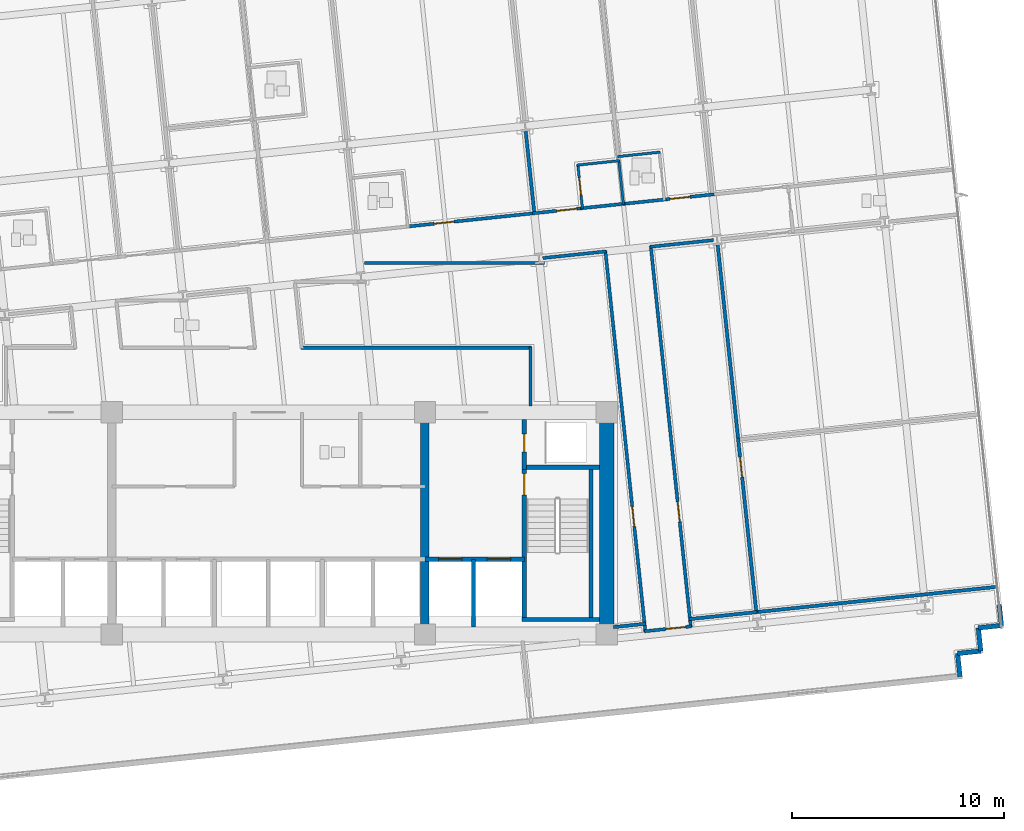
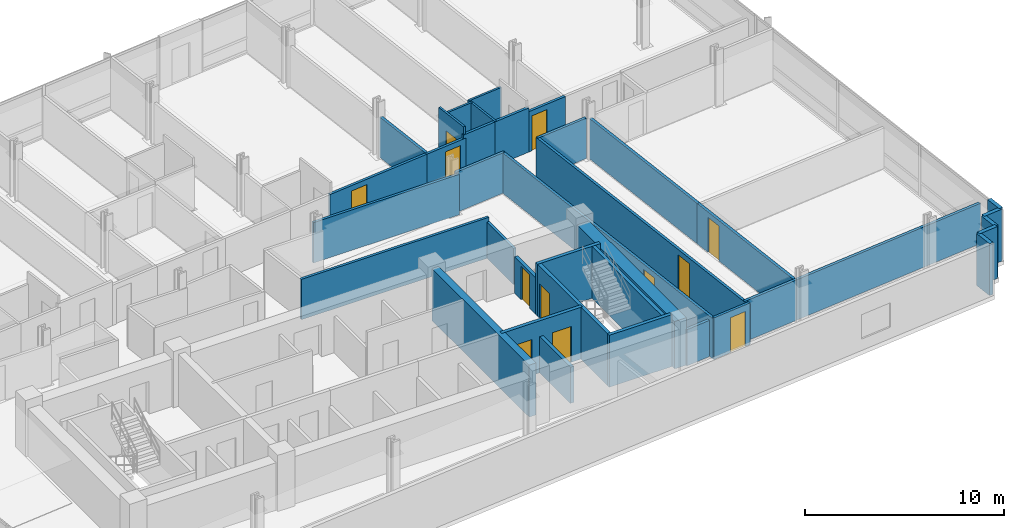
# One storey, part 12 of 20: 37 walls, 12 doors, 12 openings.
"""IFC4 building model written with IfcOpenShell, lengths in metres."""

from ifc_helpers import new_model, si_unit, direction, frame, frame_2d, origin, place, context, subcontext, project, spatial, rectangle, extrude, material, layer, layer_set, type_object, element, fill, save


model = new_model("IFC4")

# Units and contexts
model_context = context("Model", 3, precision=1e-05, world=origin(), true_north=direction((0.0, 1.0)))
body_context = subcontext(model_context, "Body", "Model", "MODEL_VIEW")
ifc_project = project(units=[si_unit("LENGTHUNIT", "METRE"), si_unit("AREAUNIT", "SQUARE_METRE"), si_unit("VOLUMEUNIT", "CUBIC_METRE"), si_unit("PLANEANGLEUNIT", "RADIAN"), si_unit("MASSUNIT", "GRAM", prefix="KILO")], contexts=[model_context])

# Site, building, storey
site_placement = place(None, origin())
site = spatial("IfcSite", under=ifc_project, at=site_placement, CompositionType="ELEMENT")
building_placement = place(site_placement, origin())
building = spatial("IfcBuilding", under=site, at=building_placement, Name="Solmavex Isthmus Hotel", CompositionType="ELEMENT")
storey_placement = place(building_placement, frame((0.0, 0.0, 87.0)))
storey = spatial("IfcBuildingStorey", under=building, at=storey_placement, Name="L23", CompositionType="ELEMENT", Elevation=87.0)

# Walls
ifc_material_1 = material(Name="Precast Concrete C40/50", Category="concrete")
ifc_layer_1 = layer(ifc_material_1, 0.25)
ifc_layer_set_1 = layer_set([ifc_layer_1], Name="Precast Concrete C40/50")
wall_type_1 = type_object("IfcWallType", Name="EW-TWR-250", PredefinedType="STANDARD", material=ifc_layer_set_1)
wall_1_placement = place(storey_placement, frame((34.553955078125, -11.59228515625, 0.0), z_axis=(0.0, 0.0, 1.0), x_axis=(0.104556418955, -0.99451895671, 0.0)))
element("IfcWall", 1, at=wall_1_placement, inside=storey, type_object=wall_type_1, Name="Serrated Corner Facade Panel L23-21", PredefinedType="STANDARD", context=body_context, shape_type="SweptSolid", body=[
    extrude(rectangle(XDim=0.989990234375, YDim=0.219970703125, at=frame_2d((0.4951171875, 0.0))), origin(), (0.0, 0.0, 1.0), 3.18994140625),
])
for number, where, z_axis, x_axis, name in (
    (2, (34.657470703125, -12.576904296875, 0.0), (0.0, 0.0, 1.0), (-0.994521251134, -0.104534592565, 0.0), "Serrated Corner Facade Panel L23-22"),
    (3, (33.5634765625, -12.69189453125, 0.0), (0.0, 0.0, 1.0), (0.104534592565, -0.994521251134, 0.0), "Serrated Corner Facade Panel L23-23"),
    (4, (33.678466796875, -13.785888671875, 0.0), (0.0, 0.0, 1.0), (-0.994521251134, -0.104534592565, 0.0), "Serrated Corner Facade Panel L23-24"),
    (5, (32.58447265625, -13.90087890625, 0.0), (0.0, 0.0, 1.0), (0.104534592565, -0.994521251134, 0.0), "Serrated Corner Facade Panel L23-25"),
):
    element("IfcWall", number, at=place(storey_placement, frame(where, z_axis=z_axis, x_axis=x_axis)), inside=storey, type_object=wall_type_1, Name=name, PredefinedType="STANDARD", context=body_context, shape_type="SweptSolid", body=[
        extrude(rectangle(XDim=1.10009765625, YDim=0.219970703125, at=frame_2d((0.550048828125, 0.0))), origin(), (0.0, 0.0, 1.0), 3.18994140625),
    ])
ifc_material_2 = material(Name="Gypsum plasterboard lining", Category="gypsum")
ifc_layer_2 = layer(ifc_material_2, 0.159912109375)
ifc_layer_set_2 = layer_set([ifc_layer_2], Name="Gypsum plasterboard lining")
wall_type_2 = type_object("IfcWallType", Name="IW-COMP-160", PredefinedType="PARTITIONING", material=ifc_layer_set_2)
wall_2_placement = place(storey_placement, frame((12.16015625, 10.86181640625, 0.0), z_axis=(0.0, 0.0, 1.0), x_axis=(0.104545405177, -0.994520114556, 0.0)))
element("IfcWall", 6, at=wall_2_placement, inside=storey, type_object=wall_type_2, Name="Interior Partition Wall W-L23-P073", PredefinedType="PARTITIONING", context=body_context, shape_type="SweptSolid", body=[
    extrude(rectangle(XDim=4.011962890625, YDim=0.159912109375, at=frame_2d((2.005859375, 0.0))), origin(), (0.0, 0.0, 1.0), 2.4794921875),
])
wall_3_placement = place(storey_placement, frame((23.109619140625, -11.9404296875, 0.0), z_axis=(0.0, 0.0, 1.0), x_axis=(-0.994523644075, -0.1045118241, 0.0)))
element("IfcWall", 7, at=wall_3_placement, inside=storey, type_object=wall_type_2, Name="Interior Partition Wall W-L23-P088", PredefinedType="PARTITIONING", context=body_context, shape_type="SweptSolid", body=[
    extrude(rectangle(XDim=3.233154296875, YDim=0.159912109375, at=frame_2d((1.61669921875, 0.0))), origin(), (0.0, 0.0, 1.0), 2.4794921875),
])

# Wall, opening, door
wall_4_placement = place(storey_placement, frame((22.2041015625, -3.7080078125, 0.0), z_axis=(0.0, 0.0, 1.0), x_axis=(0.104527489028, -0.994521997765, 0.0)))
wall_4 = element("IfcWall", 8, at=wall_4_placement, inside=storey, type_object=wall_type_2, Name="Interior Partition Wall W-L23-P089", PredefinedType="PARTITIONING", context=body_context, shape_type="SweptSolid", body=[
    extrude(rectangle(XDim=8.322021484375, YDim=0.159912109375, at=frame_2d((4.1611328125, 0.0))), origin(), (0.0, 0.0, 1.0), 2.4794921875),
])
opening_1_placement = place(wall_4_placement, frame((0.916748046875, 0.0, 0.0)))
opening_1 = element("IfcOpeningElement", 9, at=opening_1_placement, cuts=wall_4, Name="Opening ID-C095", PredefinedType="OPENING", context=body_context, shape_type="SweptSolid", body=[
    extrude(rectangle(XDim=0.949951171875, YDim=2.14990234375, at=frame_2d((0.47509765625, 1.074951171875))), frame((0.0, 0.08984375, 0.0), z_axis=(0.0, -1.0, 0.0), x_axis=(1.0, 0.0, 0.0)), (0.0, 0.0, 1.0), 0.179931640625),
])
ifc_material_3 = material(Name="Hardwood timber", Category="wood")
door_type_1 = type_object("IfcDoorType", Name="IDR-FD60-0950", OperationType="NOTDEFINED", PredefinedType="DOOR", material=ifc_material_3)
door_1_placement = place(opening_1_placement, origin())
door_1 = element("IfcDoor", 10, at=door_1_placement, inside=storey, type_object=door_type_1, Name="Corporate Briefing Office Door L23-26", OperationType="SINGLE_SWING_RIGHT", OverallHeight=2.14990234375, OverallWidth=0.949951171875, PredefinedType="DOOR", context=body_context, shape_type="SweptSolid", body=[
    extrude(rectangle(XDim=0.949951171875, YDim=2.14990234375, at=frame_2d((0.47509765625, 1.074951171875))), frame((0.0, 0.02490234375, 0.0), z_axis=(0.0, -1.0, 0.0), x_axis=(1.0, 0.0, 0.0)), (0.0, 0.0, 1.0), 0.050048828125),
])
fill(opening_1, door_1)

# Walls
wall_5_placement = place(storey_placement, frame((21.238037109375, 5.483154296875, 0.0), z_axis=(0.0, 0.0, 1.0), x_axis=(0.104552370405, -0.994519382336, 0.0)))
element("IfcWall", 11, at=wall_5_placement, inside=storey, type_object=wall_type_2, Name="Interior Partition Wall W-L23-P090", PredefinedType="PARTITIONING", context=body_context, shape_type="SweptSolid", body=[
    extrude(rectangle(XDim=9.40576171875, YDim=0.159912109375, at=frame_2d((4.702880859375, 0.0))), origin(), (0.0, 0.0, 1.0), 2.4794921875),
])
wall_6_placement = place(storey_placement, frame((17.82568359375, -12.495849609375, 0.0), z_axis=(0.0, 0.0, 1.0), x_axis=(-0.994528256122, -0.104467927017, 0.0)))
element("IfcWall", 12, at=wall_6_placement, inside=storey, type_object=wall_type_2, Name="Interior Partition Wall W-L23-P091", PredefinedType="PARTITIONING", context=body_context, shape_type="SweptSolid", body=[
    extrude(rectangle(XDim=1.523681640625, YDim=0.159912109375, at=frame_2d((0.76171875, 0.0))), origin(), (0.0, 0.0, 1.0), 2.22509765625),
])
wall_7_placement = place(storey_placement, frame((22.98828125, -11.953125, 0.0), z_axis=(0.0, 0.0, 1.0), x_axis=(0.994523359964, 0.104514527634, 0.0)))
element("IfcWall", 13, at=wall_7_placement, inside=storey, type_object=wall_type_2, Name="Interior Partition Wall W-L23-P092", PredefinedType="PARTITIONING", context=body_context, shape_type="SweptSolid", body=[
    extrude(rectangle(XDim=11.570068359375, YDim=0.159912109375, at=frame_2d((5.78515625, 0.0))), origin(), (0.0, 0.0, 1.0), 2.4794921875),
])

# Wall, opening, door
ifc_layer_3 = layer(ifc_material_2, 0.14990234375)
ifc_layer_set_3 = layer_set([ifc_layer_3], Name="Gypsum plasterboard lining")
wall_type_3 = type_object("IfcWallType", Name="IW-CORR-150", PredefinedType="PARTITIONING", material=ifc_layer_set_3)
wall_8_placement = place(storey_placement, frame((6.5107421875, 6.274169921875, 0.0), z_axis=(0.0, 0.0, 1.0), x_axis=(0.994521891766, 0.104528497542, 0.0)))
wall_8 = element("IfcWall", 14, at=wall_8_placement, inside=storey, type_object=wall_type_3, Name="Interior Partition Wall W-L23-P007", PredefinedType="PARTITIONING", context=body_context, shape_type="SweptSolid", body=[
    extrude(rectangle(XDim=6.18017578125, YDim=0.14990234375, at=frame_2d((3.090087890625, 0.0))), origin(), (0.0, 0.0, 1.0), 2.4794921875),
])
opening_2_placement = place(wall_8_placement, frame((1.333984375, 0.0, 0.0)))
opening_2 = element("IfcOpeningElement", 15, at=opening_2_placement, cuts=wall_8, Name="Opening ID-C095", PredefinedType="OPENING", context=body_context, shape_type="SweptSolid", body=[
    extrude(rectangle(XDim=0.949951171875, YDim=2.14990234375, at=frame_2d((0.47509765625, 1.074951171875))), frame((0.0, 0.0849609375, 0.0), z_axis=(0.0, -1.0, 0.0), x_axis=(1.0, 0.0, 0.0)), (0.0, 0.0, 1.0), 0.169921875),
])
door_2_placement = place(opening_2_placement, origin())
door_2 = element("IfcDoor", 16, at=door_2_placement, inside=storey, type_object=door_type_1, Name="Premier Suite Door L23-12", OperationType="SINGLE_SWING_RIGHT", OverallHeight=2.14990234375, OverallWidth=0.949951171875, PredefinedType="DOOR", context=body_context, shape_type="SweptSolid", body=[
    extrude(rectangle(XDim=0.949951171875, YDim=2.14990234375, at=frame_2d((0.47509765625, 1.074951171875))), frame((0.0, 0.02490234375, 0.0), z_axis=(0.0, -1.0, 0.0), x_axis=(1.0, 0.0, 0.0)), (0.0, 0.0, 1.0), 0.050048828125),
])
fill(opening_2, door_2)

wall_9_placement = place(storey_placement, frame((12.493896484375, 6.903076171875, 0.0), z_axis=(0.0, 0.0, 1.0), x_axis=(0.99452018747, 0.10454471156, 0.0)))
wall_9 = element("IfcWall", 17, at=wall_9_placement, inside=storey, type_object=wall_type_3, Name="Interior Partition Wall W-L23-P009", PredefinedType="PARTITIONING", context=body_context, shape_type="SweptSolid", body=[
    extrude(rectangle(XDim=2.44970703125, YDim=0.14990234375, at=frame_2d((1.224853515625, 0.0))), origin(), (0.0, 0.0, 1.0), 2.4794921875),
])
opening_3_placement = place(wall_9_placement, frame((1.14794921875, 0.0, 0.0)))
opening_3 = element("IfcOpeningElement", 18, at=opening_3_placement, cuts=wall_9, Name="Opening ID-C095", PredefinedType="OPENING", context=body_context, shape_type="SweptSolid", body=[
    extrude(rectangle(XDim=0.949951171875, YDim=2.14990234375, at=frame_2d((0.47509765625, 1.074951171875))), frame((0.0, 0.0849609375, 0.0), z_axis=(0.0, -1.0, 0.0), x_axis=(1.0, 0.0, 0.0)), (0.0, 0.0, 1.0), 0.169921875),
])
door_3_placement = place(opening_3_placement, origin())
door_3 = element("IfcDoor", 19, at=door_3_placement, inside=storey, type_object=door_type_1, Name="Club Guest Room Door L23-14", OperationType="SINGLE_SWING_RIGHT", OverallHeight=2.14990234375, OverallWidth=0.949951171875, PredefinedType="DOOR", context=body_context, shape_type="SweptSolid", body=[
    extrude(rectangle(XDim=0.949951171875, YDim=2.14990234375, at=frame_2d((0.47509765625, 1.074951171875))), frame((0.0, 0.02490234375, 0.0), z_axis=(0.0, -1.0, 0.0), x_axis=(1.0, 0.0, 0.0)), (0.0, 0.0, 1.0), 0.050048828125),
])
fill(opening_3, door_3)

# Wall
wall_10_placement = place(storey_placement, frame((14.76708984375, 7.14208984375, 0.0), z_axis=(0.0, 0.0, 1.0), x_axis=(0.994520650134, 0.1045403102, 0.0)))
element("IfcWall", 20, at=wall_10_placement, inside=storey, type_object=wall_type_3, Name="Interior Partition Wall W-L23-P010", PredefinedType="PARTITIONING", context=body_context, shape_type="SweptSolid", body=[
    extrude(rectangle(XDim=2.111083984375, YDim=0.14990234375, at=frame_2d((1.0556640625, 0.0))), origin(), (0.0, 0.0, 1.0), 2.718017578125),
])

# Wall, opening, door
wall_11_placement = place(storey_placement, frame((18.64013671875, 7.549072265625, 0.0), z_axis=(0.0, 0.0, 1.0), x_axis=(0.994521276566, 0.104534350613, 0.0)))
wall_11 = element("IfcWall", 21, at=wall_11_placement, inside=storey, type_object=wall_type_3, Name="Interior Partition Wall W-L23-P011", PredefinedType="PARTITIONING", context=body_context, shape_type="SweptSolid", body=[
    extrude(rectangle(XDim=2.449951171875, YDim=0.14990234375, at=frame_2d((1.22509765625, 0.0))), origin(), (0.0, 0.0, 1.0), 2.4794921875),
])
opening_4_placement = place(wall_11_placement, frame((0.351806640625, 0.0, 0.0)))
opening_4 = element("IfcOpeningElement", 22, at=opening_4_placement, cuts=wall_11, Name="Opening ID-C095", PredefinedType="OPENING", context=body_context, shape_type="SweptSolid", body=[
    extrude(rectangle(XDim=0.949951171875, YDim=2.14990234375, at=frame_2d((0.47509765625, 1.074951171875))), frame((0.0, 0.0849609375, 0.0), z_axis=(0.0, -1.0, 0.0), x_axis=(1.0, 0.0, 0.0)), (0.0, 0.0, 1.0), 0.169921875),
])
door_4_placement = place(opening_4_placement, origin())
door_4 = element("IfcDoor", 23, at=door_4_placement, inside=storey, type_object=door_type_1, Name="Superior King Room Door L23-16", OperationType="SINGLE_SWING_RIGHT", OverallHeight=2.14990234375, OverallWidth=0.949951171875, PredefinedType="DOOR", context=body_context, shape_type="SweptSolid", body=[
    extrude(rectangle(XDim=0.949951171875, YDim=2.14990234375, at=frame_2d((0.47509765625, 1.074951171875))), frame((0.0, 0.02490234375, 0.0), z_axis=(0.0, -1.0, 0.0), x_axis=(1.0, 0.0, 0.0)), (0.0, 0.0, 1.0), 0.050048828125),
])
fill(opening_4, door_4)

# Walls
wall_12_placement = place(storey_placement, frame((16.70361328125, 7.345458984375, 0.0), z_axis=(0.0, 0.0, 1.0), x_axis=(0.994520650134, 0.1045403102, 0.0)))
element("IfcWall", 24, at=wall_12_placement, inside=storey, type_object=wall_type_3, Name="Interior Partition Wall W-L23-P012", PredefinedType="PARTITIONING", context=body_context, shape_type="SweptSolid", body=[
    extrude(rectangle(XDim=2.111083984375, YDim=0.14990234375, at=frame_2d((1.0556640625, 0.0))), origin(), (0.0, 0.0, 1.0), 2.718017578125),
])
wall_13_placement = place(storey_placement, frame((21.04443359375, 5.639892578125, 0.0), z_axis=(0.0, 0.0, 1.0), x_axis=(-0.994527160177, -0.104478359817, 0.0)))
element("IfcWall", 25, at=wall_13_placement, inside=storey, type_object=wall_type_3, Name="Interior Partition Wall W-L23-P021", PredefinedType="PARTITIONING", context=body_context, shape_type="SweptSolid", body=[
    extrude(rectangle(XDim=3.016845703125, YDim=0.14990234375, at=frame_2d((1.50830078125, 0.0))), origin(), (0.0, 0.0, 1.0), 2.4794921875),
])

# Wall, opening, door
wall_14_placement = place(storey_placement, frame((18.079833984375, 5.36865234375, 0.0), z_axis=(0.0, 0.0, 1.0), x_axis=(0.104523559353, -0.994522410778, 0.0)))
wall_14 = element("IfcWall", 26, at=wall_14_placement, inside=storey, type_object=wall_type_3, Name="Interior Partition Wall W-L23-P022", PredefinedType="PARTITIONING", context=body_context, shape_type="SweptSolid", body=[
    extrude(rectangle(XDim=18.130126953125, YDim=0.14990234375, at=frame_2d((9.06494140625, 0.0))), origin(), (0.0, 0.0, 1.0), 2.4794921875),
])
opening_5_placement = place(wall_14_placement, frame((12.161865234375, 0.0, 0.0)))
opening_5 = element("IfcOpeningElement", 27, at=opening_5_placement, cuts=wall_14, Name="Opening ID-C095", PredefinedType="OPENING", context=body_context, shape_type="SweptSolid", body=[
    extrude(rectangle(XDim=0.949951171875, YDim=2.14990234375, at=frame_2d((0.47509765625, 1.074951171875))), frame((0.0, 0.0849609375, 0.0), z_axis=(0.0, -1.0, 0.0), x_axis=(1.0, 0.0, 0.0)), (0.0, 0.0, 1.0), 0.169921875),
])
door_5_placement = place(opening_5_placement, origin())
door_5 = element("IfcDoor", 28, at=door_5_placement, inside=storey, type_object=door_type_1, Name="Reading Library Door L23-22", OperationType="SINGLE_SWING_RIGHT", OverallHeight=2.14990234375, OverallWidth=0.949951171875, PredefinedType="DOOR", context=body_context, shape_type="SweptSolid", body=[
    extrude(rectangle(XDim=0.949951171875, YDim=2.14990234375, at=frame_2d((0.47509765625, 1.074951171875))), frame((0.0, 0.02490234375, 0.0), z_axis=(0.0, -1.0, 0.0), x_axis=(1.0, 0.0, 0.0)), (0.0, 0.0, 1.0), 0.050048828125),
])
fill(opening_5, door_5)

wall_15_placement = place(storey_placement, frame((17.82666015625, -12.887939453125, 0.0), z_axis=(0.0, 0.0, 1.0), x_axis=(-0.104523559353, 0.994522410778, 0.0)))
wall_15 = element("IfcWall", 29, at=wall_15_placement, inside=storey, type_object=wall_type_3, Name="Interior Partition Wall W-L23-P023", PredefinedType="PARTITIONING", context=body_context, shape_type="SweptSolid", body=[
    extrude(rectangle(XDim=18.130126953125, YDim=0.14990234375, at=frame_2d((9.06494140625, 0.0))), origin(), (0.0, 0.0, 1.0), 2.4794921875),
])
opening_6_placement = place(wall_15_placement, frame((5.018310546875, 0.0, 0.0)))
opening_6 = element("IfcOpeningElement", 30, at=opening_6_placement, cuts=wall_15, Name="Opening ID-C095", PredefinedType="OPENING", context=body_context, shape_type="SweptSolid", body=[
    extrude(rectangle(XDim=0.949951171875, YDim=2.14990234375, at=frame_2d((0.47509765625, 1.074951171875))), frame((0.0, 0.0849609375, 0.0), z_axis=(0.0, -1.0, 0.0), x_axis=(1.0, 0.0, 0.0)), (0.0, 0.0, 1.0), 0.169921875),
])
door_6_placement = place(opening_6_placement, frame((0.949951171875, 0.0, 0.0), z_axis=(0.0, 0.0, 1.0), x_axis=(-1.0, 0.0, 0.0)))
door_6 = element("IfcDoor", 31, at=door_6_placement, inside=storey, type_object=door_type_1, Name="Wellness Treatment Room Door L23-23", OperationType="SINGLE_SWING_LEFT", OverallHeight=2.14990234375, OverallWidth=0.949951171875, PredefinedType="DOOR", context=body_context, shape_type="SweptSolid", body=[
    extrude(rectangle(XDim=0.949951171875, YDim=2.14990234375, at=frame_2d((0.47509765625, 1.074951171875))), frame((0.0, 0.02490234375, 0.0), z_axis=(0.0, -1.0, 0.0), x_axis=(1.0, 0.0, 0.0)), (0.0, 0.0, 1.0), 0.050048828125),
])
fill(opening_6, door_6)

# Walls
wall_16_placement = place(storey_placement, frame((15.9755859375, 5.107177734375, 0.0), z_axis=(0.0, 0.0, 1.0), x_axis=(-0.994518748051, -0.104558403652, 0.0)))
element("IfcWall", 32, at=wall_16_placement, inside=storey, type_object=wall_type_3, Name="Interior Partition Wall W-L23-P024", PredefinedType="PARTITIONING", context=body_context, shape_type="SweptSolid", body=[
    extrude(rectangle(XDim=3.016845703125, YDim=0.14990234375, at=frame_2d((1.50830078125, 0.0))), origin(), (0.0, 0.0, 1.0), 2.4794921875),
])
wall_17_placement = place(storey_placement, frame((13.05517578125, 4.558349609375, 0.0), z_axis=(0.0, 0.0, 1.0), x_axis=(-1.0, 0.0, 0.0)))
element("IfcWall", 33, at=wall_17_placement, inside=storey, type_object=wall_type_3, Name="Interior Partition Wall W-L23-P025", PredefinedType="PARTITIONING", context=body_context, shape_type="SweptSolid", body=[
    extrude(rectangle(XDim=8.49951171875, YDim=0.14990234375, at=frame_2d((4.249755859375, 0.0))), origin(), (0.0, 0.0, 1.0), 2.4794921875),
])
wall_18_placement = place(storey_placement, frame((1.541015625, 0.550048828125, 0.0), z_axis=(0.0, 0.0, 1.0), x_axis=(1.0, 0.0, 0.0)))
element("IfcWall", 34, at=wall_18_placement, inside=storey, type_object=wall_type_3, Name="Interior Partition Wall W-L23-P028", PredefinedType="PARTITIONING", context=body_context, shape_type="SweptSolid", body=[
    extrude(rectangle(XDim=10.89892578125, YDim=0.14990234375, at=frame_2d((5.449462890625, 0.0))), origin(), (0.0, 0.0, 1.0), 2.4794921875),
])
wall_19_placement = place(storey_placement, frame((12.39990234375, 0.590087890625, 0.0), z_axis=(0.0, 0.0, 1.0), x_axis=(0.0, -1.0, 0.0)))
element("IfcWall", 35, at=wall_19_placement, inside=storey, type_object=wall_type_3, Name="Interior Partition Wall W-L23-P029", PredefinedType="PARTITIONING", context=body_context, shape_type="SweptSolid", body=[
    extrude(rectangle(XDim=2.780029296875, YDim=0.14990234375, at=frame_2d((1.39013671875, 0.0))), origin(), (0.0, 0.0, 1.0), 2.22509765625),
])

# Wall, opening, door
wall_20_placement = place(storey_placement, frame((20.010498046875, -12.6181640625, 0.0), z_axis=(0.0, 0.0, 1.0), x_axis=(-0.994522758079, -0.104520254794, 0.0)))
wall_20 = element("IfcWall", 36, at=wall_20_placement, inside=storey, type_object=wall_type_3, Name="Interior Partition Wall W-L23-P030", PredefinedType="PARTITIONING", context=body_context, shape_type="SweptSolid", body=[
    extrude(rectangle(XDim=2.239990234375, YDim=0.14990234375, at=frame_2d((1.1201171875, 0.0))), origin(), (0.0, 0.0, 1.0), 2.55322265625),
])
opening_7_placement = place(wall_20_placement, frame((0.281982421875, 0.0, 0.0)))
opening_7 = element("IfcOpeningElement", 37, at=opening_7_placement, cuts=wall_20, Name="Opening ID-C095", PredefinedType="OPENING", context=body_context, shape_type="SweptSolid", body=[
    extrude(rectangle(XDim=0.949951171875, YDim=2.14990234375, at=frame_2d((0.47509765625, 1.074951171875))), frame((0.0, 0.0849609375, 0.0), z_axis=(0.0, -1.0, 0.0), x_axis=(1.0, 0.0, 0.0)), (0.0, 0.0, 1.0), 0.169921875),
])
door_7_placement = place(opening_7_placement, origin())
door_7 = element("IfcDoor", 38, at=door_7_placement, inside=storey, type_object=door_type_1, Name="Executive Hospitality Lounge Door L23-24", OperationType="SINGLE_SWING_RIGHT", OverallHeight=2.14990234375, OverallWidth=0.949951171875, PredefinedType="DOOR", context=body_context, shape_type="SweptSolid", body=[
    extrude(rectangle(XDim=0.949951171875, YDim=2.14990234375, at=frame_2d((0.47509765625, 1.074951171875))), frame((0.0, 0.02490234375, 0.0), z_axis=(0.0, -1.0, 0.0), x_axis=(1.0, 0.0, 0.0)), (0.0, 0.0, 1.0), 0.050048828125),
])
fill(opening_7, door_7)

# Wall
ifc_layer_4 = layer(ifc_material_2, 0.1201171875)
ifc_layer_set_4 = layer_set([ifc_layer_4], Name="Gypsum plasterboard lining")
wall_type_4 = type_object("IfcWallType", Name="IW-PART-120", PredefinedType="PARTITIONING", material=ifc_layer_set_4)
wall_21_placement = place(storey_placement, frame((16.610595703125, 9.39697265625, 0.0), z_axis=(0.0, 0.0, 1.0), x_axis=(-0.994519962835, -0.104546848461, 0.0)))
element("IfcWall", 39, at=wall_21_placement, inside=storey, type_object=wall_type_4, Name="Interior Partition Wall W-L23-P074", PredefinedType="PARTITIONING", context=body_context, shape_type="SweptSolid", body=[
    extrude(rectangle(XDim=2.02685546875, YDim=0.1201171875, at=frame_2d((1.013427734375, 0.0))), origin(), (0.0, 0.0, 1.0), 2.718017578125),
])

# Wall, opening, door
wall_22_placement = place(storey_placement, frame((14.630126953125, 9.229248046875, 0.0), z_axis=(0.0, 0.0, 1.0), x_axis=(0.104529659321, -0.994521769657, 0.0)))
wall_22 = element("IfcWall", 40, at=wall_22_placement, inside=storey, type_object=wall_type_4, Name="Interior Partition Wall W-L23-P075", PredefinedType="PARTITIONING", context=body_context, shape_type="SweptSolid", body=[
    extrude(rectangle(XDim=2.130126953125, YDim=0.1201171875, at=frame_2d((1.06494140625, 0.0))), origin(), (0.0, 0.0, 1.0), 3.18994140625),
])
opening_8_placement = place(wall_22_placement, frame((0.639892578125, 0.0, 0.0)))
opening_8 = element("IfcOpeningElement", 41, at=opening_8_placement, cuts=wall_22, Name="Opening ID-U085", PredefinedType="OPENING", context=body_context, shape_type="SweptSolid", body=[
    extrude(rectangle(XDim=0.85009765625, YDim=2.10009765625, at=frame_2d((0.425048828125, 1.050048828125))), frame((0.0, 0.070068359375, 0.0), z_axis=(0.0, -1.0, 0.0), x_axis=(1.0, 0.0, 0.0)), (0.0, 0.0, 1.0), 0.14013671875),
])
door_type_2 = type_object("IfcDoorType", Name="IDR-UNR-0850", OperationType="NOTDEFINED", PredefinedType="DOOR", material=ifc_material_3)
door_8_placement = place(opening_8_placement, origin())
door_8 = element("IfcDoor", 42, at=door_8_placement, inside=storey, type_object=door_type_2, Name="En-suite Bathroom Door L23-15", OperationType="SINGLE_SWING_LEFT", OverallHeight=2.10009765625, OverallWidth=0.85009765625, PredefinedType="DOOR", context=body_context, shape_type="SweptSolid", body=[
    extrude(rectangle(XDim=0.85009765625, YDim=2.10009765625, at=frame_2d((0.425048828125, 1.050048828125))), frame((0.0, 0.02490234375, 0.0), z_axis=(0.0, -1.0, 0.0), x_axis=(1.0, 0.0, 0.0)), (0.0, 0.0, 1.0), 0.050048828125),
])
fill(opening_8, door_8)

# Walls
wall_23_placement = place(storey_placement, frame((16.566650390625, 9.4326171875, 0.0), z_axis=(0.0, 0.0, 1.0), x_axis=(0.104541575795, -0.994520517099, 0.0)))
element("IfcWall", 43, at=wall_23_placement, inside=storey, type_object=wall_type_4, Name="Interior Partition Wall W-L23-P077", PredefinedType="PARTITIONING", context=body_context, shape_type="SweptSolid", body=[
    extrude(rectangle(XDim=2.1298828125, YDim=0.1201171875, at=frame_2d((1.06494140625, 0.0))), origin(), (0.0, 0.0, 1.0), 2.718017578125),
])
wall_24_placement = place(storey_placement, frame((18.5263671875, 9.799560546875, 0.0), z_axis=(0.0, 0.0, 1.0), x_axis=(-0.994521279075, -0.104534326742, 0.0)))
element("IfcWall", 44, at=wall_24_placement, inside=storey, type_object=wall_type_4, Name="Interior Partition Wall W-L23-P079", PredefinedType="PARTITIONING", context=body_context, shape_type="SweptSolid", body=[
    extrude(rectangle(XDim=2.027099609375, YDim=0.1201171875, at=frame_2d((1.013671875, 0.0))), origin(), (0.0, 0.0, 1.0), 2.718017578125),
])

# Wall, opening, door
ifc_material_4 = material(Name="Concrete C40/50", Category="concrete")
ifc_layer_5 = layer(ifc_material_4, 0.199951171875)
ifc_layer_set_5 = layer_set([ifc_layer_5], Name="Concrete C40/50")
wall_type_5 = type_object("IfcWallType", Name="IW-SHAFT-200", PredefinedType="PARTITIONING", material=ifc_layer_set_5)
wall_25_placement = place(storey_placement, frame((12.10009765625, -5.199951171875, 0.0), z_axis=(0.0, 0.0, 1.0), x_axis=(0.0, 1.0, 0.0)))
wall_25 = element("IfcWall", 45, at=wall_25_placement, inside=storey, type_object=wall_type_5, Name="Interior Partition Wall W-L23-RSE-W", PredefinedType="PARTITIONING", context=body_context, shape_type="SweptSolid", body=[
    extrude(rectangle(XDim=2.349853515625, YDim=0.199951171875, at=frame_2d((1.1748046875, 0.0))), origin(), (0.0, 0.0, 1.0), 2.22509765625),
])
opening_9_placement = place(wall_25_placement, frame((0.824951171875, 0.0, 0.0)))
opening_9 = element("IfcOpeningElement", 46, at=opening_9_placement, cuts=wall_25, Name="Opening ID-R085", PredefinedType="OPENING", context=body_context, shape_type="SweptSolid", body=[
    extrude(rectangle(XDim=0.85009765625, YDim=2.050048828125, at=frame_2d((0.425048828125, 1.02490234375))), frame((0.0, 0.10986328125, 0.0), z_axis=(0.0, -1.0, 0.0), x_axis=(1.0, 0.0, 0.0)), (0.0, 0.0, 1.0), 0.219970703125),
])
ifc_material_5 = material(Name="Steel ASTM A500 Grade C", Category="steel")
door_type_3 = type_object("IfcDoorType", Name="IDR-FD60-0850", OperationType="NOTDEFINED", PredefinedType="DOOR", material=ifc_material_5)
door_9_placement = place(opening_9_placement, frame((0.85009765625, 0.0, 0.0), z_axis=(0.0, 0.0, 1.0), x_axis=(-1.0, 0.0, 0.0)))
door_9 = element("IfcDoor", 47, at=door_9_placement, inside=storey, type_object=door_type_3, Name="Mechanical Riser Door L23", OperationType="SINGLE_SWING_LEFT", OverallHeight=2.050048828125, OverallWidth=0.85009765625, PredefinedType="DOOR", context=body_context, shape_type="SweptSolid", body=[
    extrude(rectangle(XDim=0.85009765625, YDim=2.050048828125, at=frame_2d((0.425048828125, 1.02490234375))), frame((0.0, 0.02490234375, 0.0), z_axis=(0.0, -1.0, 0.0), x_axis=(1.0, 0.0, 0.0)), (0.0, 0.0, 1.0), 0.050048828125),
])
fill(opening_9, door_9)

# Wall, openings, doors
wall_26_placement = place(storey_placement, frame((7.39990234375, -9.449951171875, 0.0), z_axis=(0.0, 0.0, 1.0), x_axis=(1.0, 0.0, 0.0)))
wall_26 = element("IfcWall", 48, at=wall_26_placement, inside=storey, type_object=wall_type_5, Name="Interior Partition Wall W-L23-FFLE-S", PredefinedType="PARTITIONING", context=body_context, shape_type="SweptSolid", body=[
    extrude(rectangle(XDim=4.7001953125, YDim=0.199951171875, at=frame_2d((2.35009765625, 0.0))), origin(), (0.0, 0.0, 1.0), 3.18994140625),
])
opening_10_placement = place(wall_26_placement, frame((2.949951171875, 0.0, 0.0)))
opening_10 = element("IfcOpeningElement", 49, at=opening_10_placement, cuts=wall_26, Name="Opening LD-FF", PredefinedType="OPENING", context=body_context, shape_type="SweptSolid", body=[
    extrude(rectangle(XDim=1.10009765625, YDim=2.199951171875, at=frame_2d((0.550048828125, 1.10009765625))), frame((0.0, 0.10986328125, 0.0), z_axis=(0.0, -1.0, 0.0), x_axis=(1.0, 0.0, 0.0)), (0.0, 0.0, 1.0), 0.219970703125),
])
opening_11_placement = place(wall_26_placement, frame((0.64990234375, 0.0, 0.0)))
opening_11 = element("IfcOpeningElement", 50, at=opening_11_placement, cuts=wall_26, Name="Opening LD-SV", PredefinedType="OPENING", context=body_context, shape_type="SweptSolid", body=[
    extrude(rectangle(XDim=1.10009765625, YDim=2.199951171875, at=frame_2d((0.550048828125, 1.10009765625))), frame((0.0, 0.10986328125, 0.0), z_axis=(0.0, -1.0, 0.0), x_axis=(1.0, 0.0, 0.0)), (0.0, 0.0, 1.0), 0.219970703125),
])
ifc_material_6 = material(Name="Stainless steel 316", Category="steel")
door_type_4 = type_object("IfcDoorType", Name="LDR-FF-1100", OperationType="NOTDEFINED", PredefinedType="DOOR", material=ifc_material_6)
door_10_placement = place(opening_10_placement, origin())
door_10 = element("IfcDoor", 51, at=door_10_placement, inside=storey, type_object=door_type_4, Name="Lift Landing Door FFL-2 L23", OperationType="SLIDING_TO_LEFT", OverallHeight=2.199951171875, OverallWidth=1.10009765625, PredefinedType="DOOR", context=body_context, shape_type="SweptSolid", body=[
    extrude(rectangle(XDim=1.10009765625, YDim=2.199951171875, at=frame_2d((0.550048828125, 1.10009765625))), frame((0.0, 0.02490234375, 0.0), z_axis=(0.0, -1.0, 0.0), x_axis=(1.0, 0.0, 0.0)), (0.0, 0.0, 1.0), 0.050048828125),
])
fill(opening_10, door_10)
door_type_5 = type_object("IfcDoorType", Name="LDR-SV-1100", OperationType="NOTDEFINED", PredefinedType="DOOR", material=ifc_material_6)
door_11_placement = place(opening_11_placement, origin())
door_11 = element("IfcDoor", 52, at=door_11_placement, inside=storey, type_object=door_type_5, Name="Lift Landing Door SVL-2 L23", OperationType="SLIDING_TO_RIGHT", OverallHeight=2.199951171875, OverallWidth=1.10009765625, PredefinedType="DOOR", context=body_context, shape_type="SweptSolid", body=[
    extrude(rectangle(XDim=1.10009765625, YDim=2.199951171875, at=frame_2d((0.550048828125, 1.10009765625))), frame((0.0, 0.02490234375, 0.0), z_axis=(0.0, -1.0, 0.0), x_axis=(1.0, 0.0, 0.0)), (0.0, 0.0, 1.0), 0.050048828125),
])
fill(opening_11, door_11)

# Walls
wall_27_placement = place(storey_placement, frame((9.699951171875, -12.64990234375, 0.0), z_axis=(0.0, 0.0, 1.0), x_axis=(0.0, 1.0, 0.0)))
element("IfcWall", 53, at=wall_27_placement, inside=storey, type_object=wall_type_5, Name="Interior Partition Wall W-L23-FFLE-M", PredefinedType="PARTITIONING", context=body_context, shape_type="SweptSolid", body=[
    extrude(rectangle(XDim=3.199951171875, YDim=0.199951171875, at=frame_2d((1.60009765625, 0.0))), origin(), (0.0, 0.0, 1.0), 2.22509765625),
])
ifc_material_7 = material(Name="Concrete C60/75", Category="concrete")
ifc_layer_6 = layer(ifc_material_7, 0.39990234375)
ifc_layer_set_6 = layer_set([ifc_layer_6], Name="Concrete C60/75")
wall_type_6 = type_object("IfcWallType", Name="WALL-CW-400M", PredefinedType="SHEAR", material=ifc_layer_set_6)
wall_28_placement = place(storey_placement, frame((7.39990234375, -12.64990234375, 0.0), z_axis=(0.0, 0.0, 1.0), x_axis=(0.0, 1.0, 0.0)))
element("IfcWall", 54, at=wall_28_placement, inside=storey, type_object=wall_type_6, Name="Core Cross Shear Wall C2 L23", PredefinedType="SHEAR", context=body_context, shape_type="SweptSolid", body=[
    extrude(rectangle(XDim=9.7998046875, YDim=0.39990234375, at=frame_2d((4.89990234375, 0.0))), origin(), (0.0, 0.0, 1.0), 3.18994140625),
])
ifc_layer_7 = layer(ifc_material_7, 0.699951171875)
ifc_layer_set_7 = layer_set([ifc_layer_7], Name="Concrete C60/75")
wall_type_7 = type_object("IfcWallType", Name="WALL-CW-700", PredefinedType="SHEAR", material=ifc_layer_set_7)
wall_29_placement = place(storey_placement, frame((16.0, -12.64990234375, 0.0), z_axis=(0.0, 0.0, 1.0), x_axis=(0.0, 1.0, 0.0)))
element("IfcWall", 55, at=wall_29_placement, inside=storey, type_object=wall_type_7, Name="Core Shear Wall East L23", PredefinedType="SHEAR", context=body_context, shape_type="SweptSolid", body=[
    extrude(rectangle(XDim=9.7998046875, YDim=0.699951171875, at=frame_2d((4.89990234375, 0.0))), origin(), (0.0, 0.0, 1.0), 2.909912109375),
])
ifc_layer_8 = layer(ifc_material_4, 0.199951171875)
ifc_layer_set_8 = layer_set([ifc_layer_8], Name="Concrete C40/50")
wall_type_8 = type_object("IfcWallType", Name="WALL-SW-200", PredefinedType="SOLIDWALL", material=ifc_layer_set_8)
for number, where, z_axis, x_axis, name in (
    (56, (12.0, -12.300048828125, 0.0), (0.0, 0.0, 1.0), (1.0, 0.0, 0.0), "Stairwell Structural Wall SW-L23-ST2-S"),
    (57, (12.0, -5.10009765625, 0.0), (0.0, 0.0, 1.0), (1.0, 0.0, 0.0), "Stairwell Structural Wall SW-L23-ST2-N"),
):
    element("IfcWall", number, at=place(storey_placement, frame(where, z_axis=z_axis, x_axis=x_axis)), inside=storey, type_object=wall_type_8, Name=name, PredefinedType="SOLIDWALL", context=body_context, shape_type="SweptSolid", body=[
        extrude(rectangle(XDim=3.64990234375, YDim=0.199951171875, at=frame_2d((1.824951171875, 0.0))), origin(), (0.0, 0.0, 1.0), 3.18994140625),
    ])

# Wall, opening, door
wall_30_placement = place(storey_placement, frame((12.10009765625, -12.199951171875, 0.0), z_axis=(0.0, 0.0, 1.0), x_axis=(0.0, 1.0, 0.0)))
wall_30 = element("IfcWall", 58, at=wall_30_placement, inside=storey, type_object=wall_type_8, Name="Stairwell Structural Wall SW-L23-ST2-W", PredefinedType="SOLIDWALL", context=body_context, shape_type="SweptSolid", body=[
    extrude(rectangle(XDim=7.0, YDim=0.199951171875, at=frame_2d((3.5, 0.0))), origin(), (0.0, 0.0, 1.0), 3.18994140625),
])
opening_12_placement = place(wall_30_placement, frame((5.800048828125, 0.0, 0.0)))
opening_12 = element("IfcOpeningElement", 59, at=opening_12_placement, cuts=wall_30, Name="Opening ID-F100", PredefinedType="OPENING", context=body_context, shape_type="SweptSolid", body=[
    extrude(rectangle(XDim=1.0, YDim=2.10009765625, at=frame_2d((0.5, 1.050048828125))), frame((0.0, 0.10986328125, 0.0), z_axis=(0.0, -1.0, 0.0), x_axis=(1.0, 0.0, 0.0)), (0.0, 0.0, 1.0), 0.219970703125),
])
door_type_6 = type_object("IfcDoorType", Name="IDR-FD90-1000", OperationType="NOTDEFINED", PredefinedType="DOOR", material=ifc_material_5)
door_12_placement = place(opening_12_placement, origin())
door_12 = element("IfcDoor", 60, at=door_12_placement, inside=storey, type_object=door_type_6, Name="Stair ST-2 Fire Door L23", OperationType="SINGLE_SWING_RIGHT", OverallHeight=2.10009765625, OverallWidth=1.0, PredefinedType="DOOR", context=body_context, shape_type="SweptSolid", body=[
    extrude(rectangle(XDim=1.0, YDim=2.10009765625, at=frame_2d((0.5, 1.050048828125))), frame((0.0, 0.02490234375, 0.0), z_axis=(0.0, -1.0, 0.0), x_axis=(1.0, 0.0, 0.0)), (0.0, 0.0, 1.0), 0.050048828125),
])
fill(opening_12, door_12)

# Wall
wall_31_placement = place(storey_placement, frame((15.25, -12.199951171875, 0.0), z_axis=(0.0, 0.0, 1.0), x_axis=(0.0, 1.0, 0.0)))
element("IfcWall", 61, at=wall_31_placement, inside=storey, type_object=wall_type_8, Name="Stairwell Structural Wall SW-L23-ST2-E", PredefinedType="SOLIDWALL", context=body_context, shape_type="SweptSolid", body=[
    extrude(rectangle(XDim=7.0, YDim=0.199951171875, at=frame_2d((3.5, 0.0))), origin(), (0.0, 0.0, 1.0), 3.18994140625),
])

save(model, "model.ifc")
